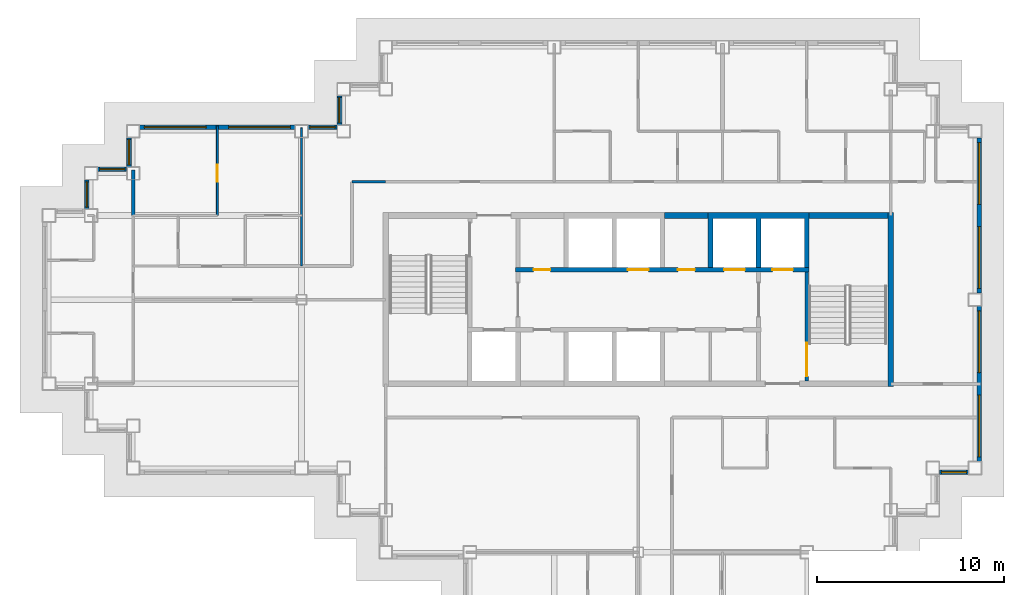
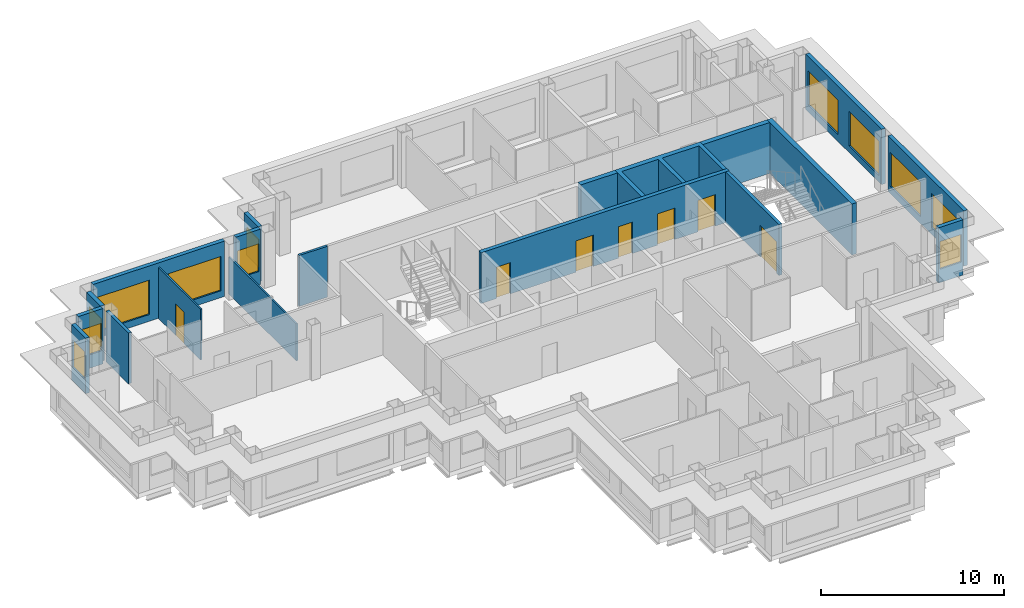
# One storey, part 6 of 12: 19 walls, 12 windows, 7 doors, 19 openings.
"""IFC4 building model written with IfcOpenShell, lengths in metres."""

from ifc_helpers import new_model, si_unit, direction, frame, frame_2d, origin, place, context, subcontext, project, spatial, polyline, rectangle, outline, extrude, material, layer, layer_set, type_object, element, fill, save


model = new_model("IFC4")

# Units and contexts
model_context = context("Model", 3, precision=1e-05, world=origin(), true_north=direction((0.0, 1.0)))
body_context = subcontext(model_context, "Body", "Model", "MODEL_VIEW")
ifc_project = project(units=[si_unit("LENGTHUNIT", "METRE"), si_unit("AREAUNIT", "SQUARE_METRE"), si_unit("VOLUMEUNIT", "CUBIC_METRE"), si_unit("PLANEANGLEUNIT", "RADIAN"), si_unit("MASSUNIT", "GRAM", prefix="KILO")], contexts=[model_context])

# Site, building, storey
site_placement = place(None, origin())
site = spatial("IfcSite", under=ifc_project, at=site_placement, CompositionType="ELEMENT")
building_placement = place(site_placement, origin())
building = spatial("IfcBuilding", under=site, at=building_placement, Name="Caravel Reach Hotel and Residences", CompositionType="ELEMENT")
storey_placement = place(building_placement, frame((0.0, 0.0, 199.800048828125)))
storey = spatial("IfcBuildingStorey", under=building, at=storey_placement, Name="L50", CompositionType="ELEMENT", Elevation=199.800048828125)

# Walls
ifc_material_1 = material(Name="Concrete C60", Category="concrete")
ifc_layer_1 = layer(ifc_material_1, 0.300048828125)
ifc_layer_set_1 = layer_set([ifc_layer_1], Name="Core wall 300 mm EI 120")
wall_type_1 = type_object("IfcWallType", Name="Core wall 300 mm EI 120", PredefinedType="SHEAR", material=ifc_layer_set_1)
wall_1_placement = place(storey_placement, frame((32.91064453125, 31.5, 0.0), z_axis=(0.0, 0.0, 1.0), x_axis=(1.0, 0.0, 0.0)))
element("IfcWall", 1, at=wall_1_placement, inside=storey, type_object=wall_type_1, Name="L50 core wall N2", PredefinedType="SHEAR", context=body_context, shape_type="SweptSolid", body=[
    extrude(rectangle(XDim=2.321533203125, YDim=0.300048828125, at=frame_2d((1.16064453125, 0.0))), origin(), (0.0, 0.0, 1.0), 3.39990234375),
])
wall_2_placement = place(storey_placement, frame((40.625, 31.5, 0.0), z_axis=(0.0, 0.0, 1.0), x_axis=(1.0, 0.0, 0.0)))
element("IfcWall", 2, at=wall_2_placement, inside=storey, type_object=wall_type_1, Name="L50 core wall N3", PredefinedType="SHEAR", context=body_context, shape_type="SweptSolid", body=[
    extrude(rectangle(XDim=4.22509765625, YDim=0.300048828125, at=frame_2d((2.112548828125, 0.0))), origin(), (0.0, 0.0, 1.0), 3.39990234375),
])
wall_3_placement = place(storey_placement, frame((45.0, 22.35009765625, 0.0), z_axis=(0.0, 0.0, 1.0), x_axis=(0.0, 1.0, 0.0)))
element("IfcWall", 3, at=wall_3_placement, inside=storey, type_object=wall_type_1, Name="L50 core wall E", PredefinedType="SHEAR", context=body_context, shape_type="SweptSolid", body=[
    extrude(rectangle(XDim=9.2998046875, YDim=0.300048828125, at=frame_2d((4.64990234375, 0.0))), origin(), (0.0, 0.0, 1.0), 3.39990234375),
])
ifc_material_2 = material(Name="Gypsum board on steel stud, fire-rated", Category="steel")
ifc_layer_2 = layer(ifc_material_2, 0.14990234375)
ifc_layer_set_2 = layer_set([ifc_layer_2], Name="Corridor wall 150 mm EI 60")
wall_type_2 = type_object("IfcWallType", Name="Corridor wall 150 mm EI 60", PredefinedType="PARTITIONING", material=ifc_layer_set_2)
wall_4_placement = place(storey_placement, frame((16.199951171875, 33.300048828125, 0.0), z_axis=(0.0, 0.0, 1.0), x_axis=(1.0, 0.0, 0.0)))
element("IfcWall", 4, at=wall_4_placement, inside=storey, type_object=wall_type_2, Name="L50 wall w011", PredefinedType="PARTITIONING", context=body_context, shape_type="SweptSolid", body=[
    extrude(rectangle(XDim=1.799072265625, YDim=0.14990234375, at=frame_2d((0.8994140625, 0.0))), origin(), (0.0, 0.0, 1.0), 3.39990234375),
])

# Wall, opening, window
ifc_material_3 = material(Name="Insulated rainscreen wall, aluminium cladding", Category="aluminium")
ifc_layer_3 = layer(ifc_material_3, 0.25)
ifc_layer_set_3 = layer_set([ifc_layer_3], Name="EW1 Tower rainscreen wall")
wall_type_3 = type_object("IfcWallType", Name="EW1 Tower rainscreen wall", PredefinedType="SOLIDWALL", material=ifc_layer_set_3)
wall_5_placement = place(storey_placement, frame((47.60009765625, 17.77490234375, 0.0), z_axis=(0.0, 0.0, 1.0), x_axis=(1.0, 0.0, 0.0)))
wall_5 = element("IfcWall", 5, at=wall_5_placement, inside=storey, type_object=wall_type_3, Name="External wall L50 S5.1", PredefinedType="SOLIDWALL", context=body_context, shape_type="SweptSolid", body=[
    extrude(rectangle(XDim=1.5498046875, YDim=0.25, at=frame_2d((0.77490234375, 0.0))), origin(), (0.0, 0.0, 1.0), 3.699951171875),
])
opening_1_placement = place(wall_5_placement, frame((0.10009765625, 0.0, 0.89990234375)))
opening_1 = element("IfcOpeningElement", 6, at=opening_1_placement, cuts=wall_5, Name="Opening WN21", PredefinedType="OPENING", context=body_context, shape_type="SweptSolid", body=[
    extrude(rectangle(XDim=1.35009765625, YDim=1.85009765625, at=frame_2d((0.675048828125, 0.925048828125))), frame((0.0, 0.135009765625, 0.0), z_axis=(0.0, -1.0, 0.0), x_axis=(1.0, 0.0, 0.0)), (0.0, 0.0, 1.0), 0.27001953125),
])
ifc_material_4 = material(Name="Dark low-e glazing in black aluminium frame", Category="aluminium")
window_type_1 = type_object("IfcWindowType", Name="Residence bedroom window 1350 x 1850", PartitioningType="SINGLE_PANEL", PredefinedType="WINDOW", material=ifc_material_4)
window_1_placement = place(opening_1_placement, origin())
window_1 = element("IfcWindow", 7, at=window_1_placement, inside=storey, type_object=window_type_1, Name="Window L50 S5.1.1", OverallHeight=1.85009765625, OverallWidth=1.35009765625, PartitioningType="SINGLE_PANEL", PredefinedType="WINDOW", context=body_context, shape_type="SweptSolid", body=[
    extrude(rectangle(XDim=1.35009765625, YDim=1.85009765625, at=frame_2d((0.675048828125, 0.925048828125))), frame((0.0, 0.030029296875, 0.0), z_axis=(0.0, -1.0, 0.0), x_axis=(1.0, 0.0, 0.0)), (0.0, 0.0, 1.0), 0.06005859375),
])
fill(opening_1, window_1)

# Wall, openings, windows
wall_6_placement = place(storey_placement, frame((49.72509765625, 18.35009765625, 0.0), z_axis=(0.0, 0.0, 1.0), x_axis=(0.0, 1.0, 0.0)))
wall_6 = element("IfcWall", 8, at=wall_6_placement, inside=storey, type_object=wall_type_3, Name="External wall L50 E6.1", PredefinedType="SOLIDWALL", context=body_context, shape_type="SweptSolid", body=[
    extrude(rectangle(XDim=8.2998046875, YDim=0.25, at=frame_2d((4.14990234375, 0.0))), origin(), (0.0, 0.0, 1.0), 3.699951171875),
])
opening_2_placement = place(wall_6_placement, frame((0.25, 0.0, 0.449951171875)))
opening_2 = element("IfcOpeningElement", 9, at=opening_2_placement, cuts=wall_6, Name="Opening WN15", PredefinedType="OPENING", context=body_context, shape_type="SweptSolid", body=[
    extrude(rectangle(XDim=3.300048828125, YDim=2.300048828125, at=frame_2d((1.64990234375, 1.14990234375))), frame((0.0, 0.135009765625, 0.0), z_axis=(0.0, -1.0, 0.0), x_axis=(1.0, 0.0, 0.0)), (0.0, 0.0, 1.0), 0.27001953125),
])
opening_3_placement = place(wall_6_placement, frame((4.75, 0.0, 0.449951171875)))
opening_3 = element("IfcOpeningElement", 10, at=opening_3_placement, cuts=wall_6, Name="Opening WN15", PredefinedType="OPENING", context=body_context, shape_type="SweptSolid", body=[
    extrude(rectangle(XDim=3.300048828125, YDim=2.300048828125, at=frame_2d((1.64990234375, 1.14990234375))), frame((0.0, 0.135009765625, 0.0), z_axis=(0.0, -1.0, 0.0), x_axis=(1.0, 0.0, 0.0)), (0.0, 0.0, 1.0), 0.27001953125),
])
ifc_material_5 = material(Name="Dark low-e glazing in black aluminium frame", Category="aluminium")
window_type_2 = type_object("IfcWindowType", Name="Residence living window 3300 x 2300", PartitioningType="SINGLE_PANEL", PredefinedType="WINDOW", material=ifc_material_5)
window_2_placement = place(opening_2_placement, origin())
window_2 = element("IfcWindow", 11, at=window_2_placement, inside=storey, type_object=window_type_2, Name="Window L50 E6.1.1", OverallHeight=2.300048828125, OverallWidth=3.300048828125, PartitioningType="SINGLE_PANEL", PredefinedType="WINDOW", context=body_context, shape_type="SweptSolid", body=[
    extrude(rectangle(XDim=3.300048828125, YDim=2.300048828125, at=frame_2d((1.64990234375, 1.14990234375))), frame((0.0, 0.030029296875, 0.0), z_axis=(0.0, -1.0, 0.0), x_axis=(1.0, 0.0, 0.0)), (0.0, 0.0, 1.0), 0.06005859375),
])
fill(opening_2, window_2)
window_3_placement = place(opening_3_placement, origin())
window_3 = element("IfcWindow", 12, at=window_3_placement, inside=storey, type_object=window_type_2, Name="Window L50 E6.1.2", OverallHeight=2.300048828125, OverallWidth=3.300048828125, PartitioningType="SINGLE_PANEL", PredefinedType="WINDOW", context=body_context, shape_type="SweptSolid", body=[
    extrude(rectangle(XDim=3.300048828125, YDim=2.300048828125, at=frame_2d((1.64990234375, 1.14990234375))), frame((0.0, 0.030029296875, 0.0), z_axis=(0.0, -1.0, 0.0), x_axis=(1.0, 0.0, 0.0)), (0.0, 0.0, 1.0), 0.06005859375),
])
fill(opening_3, window_3)

wall_7_placement = place(storey_placement, frame((49.72509765625, 27.35009765625, 0.0), z_axis=(0.0, 0.0, 1.0), x_axis=(0.0, 1.0, 0.0)))
wall_7 = element("IfcWall", 13, at=wall_7_placement, inside=storey, type_object=wall_type_3, Name="External wall L50 E6.2", PredefinedType="SOLIDWALL", context=body_context, shape_type="SweptSolid", body=[
    extrude(rectangle(XDim=8.2998046875, YDim=0.25, at=frame_2d((4.14990234375, 0.0))), origin(), (0.0, 0.0, 1.0), 3.699951171875),
])
opening_4_placement = place(wall_7_placement, frame((0.25, 0.0, 0.449951171875)))
opening_4 = element("IfcOpeningElement", 14, at=opening_4_placement, cuts=wall_7, Name="Opening WN15", PredefinedType="OPENING", context=body_context, shape_type="SweptSolid", body=[
    extrude(rectangle(XDim=3.300048828125, YDim=2.300048828125, at=frame_2d((1.64990234375, 1.14990234375))), frame((0.0, 0.135009765625, 0.0), z_axis=(0.0, -1.0, 0.0), x_axis=(1.0, 0.0, 0.0)), (0.0, 0.0, 1.0), 0.27001953125),
])
opening_5_placement = place(wall_7_placement, frame((4.75, 0.0, 0.449951171875)))
opening_5 = element("IfcOpeningElement", 15, at=opening_5_placement, cuts=wall_7, Name="Opening WN15", PredefinedType="OPENING", context=body_context, shape_type="SweptSolid", body=[
    extrude(rectangle(XDim=3.300048828125, YDim=2.300048828125, at=frame_2d((1.64990234375, 1.14990234375))), frame((0.0, 0.135009765625, 0.0), z_axis=(0.0, -1.0, 0.0), x_axis=(1.0, 0.0, 0.0)), (0.0, 0.0, 1.0), 0.27001953125),
])
window_4_placement = place(opening_4_placement, origin())
window_4 = element("IfcWindow", 16, at=window_4_placement, inside=storey, type_object=window_type_2, Name="Window L50 E6.2.1", OverallHeight=2.300048828125, OverallWidth=3.300048828125, PartitioningType="SINGLE_PANEL", PredefinedType="WINDOW", context=body_context, shape_type="SweptSolid", body=[
    extrude(rectangle(XDim=3.300048828125, YDim=2.300048828125, at=frame_2d((1.64990234375, 1.14990234375))), frame((0.0, 0.030029296875, 0.0), z_axis=(0.0, -1.0, 0.0), x_axis=(1.0, 0.0, 0.0)), (0.0, 0.0, 1.0), 0.06005859375),
])
fill(opening_4, window_4)
window_5_placement = place(opening_5_placement, origin())
window_5 = element("IfcWindow", 17, at=window_5_placement, inside=storey, type_object=window_type_2, Name="Window L50 E6.2.2", OverallHeight=2.300048828125, OverallWidth=3.300048828125, PartitioningType="SINGLE_PANEL", PredefinedType="WINDOW", context=body_context, shape_type="SweptSolid", body=[
    extrude(rectangle(XDim=3.300048828125, YDim=2.300048828125, at=frame_2d((1.64990234375, 1.14990234375))), frame((0.0, 0.030029296875, 0.0), z_axis=(0.0, -1.0, 0.0), x_axis=(1.0, 0.0, 0.0)), (0.0, 0.0, 1.0), 0.06005859375),
])
fill(opening_5, window_5)

# Wall, opening, window
wall_8_placement = place(storey_placement, frame((15.52490234375, 37.89990234375, 0.0), z_axis=(0.0, 0.0, 1.0), x_axis=(0.0, -1.0, 0.0)))
wall_8 = element("IfcWall", 18, at=wall_8_placement, inside=storey, type_object=wall_type_3, Name="External wall L50 W14.1", PredefinedType="SOLIDWALL", context=body_context, shape_type="SweptSolid", body=[
    extrude(rectangle(XDim=1.5498046875, YDim=0.25, at=frame_2d((0.77490234375, 0.0))), origin(), (0.0, 0.0, 1.0), 3.699951171875),
])
opening_6_placement = place(wall_8_placement, frame((0.10009765625, 0.0, 0.89990234375)))
opening_6 = element("IfcOpeningElement", 19, at=opening_6_placement, cuts=wall_8, Name="Opening WN21", PredefinedType="OPENING", context=body_context, shape_type="SweptSolid", body=[
    extrude(rectangle(XDim=1.35009765625, YDim=1.85009765625, at=frame_2d((0.675048828125, 0.925048828125))), frame((0.0, 0.135009765625, 0.0), z_axis=(0.0, -1.0, 0.0), x_axis=(1.0, 0.0, 0.0)), (0.0, 0.0, 1.0), 0.27001953125),
])
window_6_placement = place(opening_6_placement, origin())
window_6 = element("IfcWindow", 20, at=window_6_placement, inside=storey, type_object=window_type_1, Name="Window L50 W14.1.1", OverallHeight=1.85009765625, OverallWidth=1.35009765625, PartitioningType="SINGLE_PANEL", PredefinedType="WINDOW", context=body_context, shape_type="SweptSolid", body=[
    extrude(rectangle(XDim=1.35009765625, YDim=1.85009765625, at=frame_2d((0.675048828125, 0.925048828125))), frame((0.0, 0.030029296875, 0.0), z_axis=(0.0, -1.0, 0.0), x_axis=(1.0, 0.0, 0.0)), (0.0, 0.0, 1.0), 0.06005859375),
])
fill(opening_6, window_6)

wall_9_placement = place(storey_placement, frame((15.39990234375, 36.22509765625, 0.0), z_axis=(0.0, 0.0, 1.0), x_axis=(-1.0, 0.0, 0.0)))
wall_9 = element("IfcWall", 21, at=wall_9_placement, inside=storey, type_object=wall_type_3, Name="External wall L50 N15.1", PredefinedType="SOLIDWALL", context=body_context, shape_type="SweptSolid", body=[
    extrude(rectangle(XDim=1.5498046875, YDim=0.25, at=frame_2d((0.77490234375, 0.0))), origin(), (0.0, 0.0, 1.0), 3.699951171875),
])
opening_7_placement = place(wall_9_placement, frame((0.10009765625, 0.0, 0.89990234375)))
opening_7 = element("IfcOpeningElement", 22, at=opening_7_placement, cuts=wall_9, Name="Opening WN21", PredefinedType="OPENING", context=body_context, shape_type="SweptSolid", body=[
    extrude(rectangle(XDim=1.35009765625, YDim=1.85009765625, at=frame_2d((0.675048828125, 0.925048828125))), frame((0.0, 0.135009765625, 0.0), z_axis=(0.0, -1.0, 0.0), x_axis=(1.0, 0.0, 0.0)), (0.0, 0.0, 1.0), 0.27001953125),
])
window_7_placement = place(opening_7_placement, origin())
window_7 = element("IfcWindow", 23, at=window_7_placement, inside=storey, type_object=window_type_1, Name="Window L50 N15.1.1", OverallHeight=1.85009765625, OverallWidth=1.35009765625, PartitioningType="SINGLE_PANEL", PredefinedType="WINDOW", context=body_context, shape_type="SweptSolid", body=[
    extrude(rectangle(XDim=1.35009765625, YDim=1.85009765625, at=frame_2d((0.675048828125, 0.925048828125))), frame((0.0, 0.030029296875, 0.0), z_axis=(0.0, -1.0, 0.0), x_axis=(1.0, 0.0, 0.0)), (0.0, 0.0, 1.0), 0.06005859375),
])
fill(opening_7, window_7)

# Wall, openings, windows
wall_10_placement = place(storey_placement, frame((13.14990234375, 36.22509765625, 0.0), z_axis=(0.0, 0.0, 1.0), x_axis=(-1.0, 0.0, 0.0)))
wall_10 = element("IfcWall", 24, at=wall_10_placement, inside=storey, type_object=wall_type_3, Name="External wall L50 N15.2", PredefinedType="SOLIDWALL", context=body_context, shape_type="SweptSolid", body=[
    extrude(rectangle(XDim=8.2998046875, YDim=0.25, at=frame_2d((4.14990234375, 0.0))), origin(), (0.0, 0.0, 1.0), 3.699951171875),
])
opening_8_placement = place(wall_10_placement, frame((0.25, 0.0, 0.449951171875)))
opening_8 = element("IfcOpeningElement", 25, at=opening_8_placement, cuts=wall_10, Name="Opening WN15", PredefinedType="OPENING", context=body_context, shape_type="SweptSolid", body=[
    extrude(rectangle(XDim=3.300048828125, YDim=2.300048828125, at=frame_2d((1.64990234375, 1.14990234375))), frame((0.0, 0.135009765625, 0.0), z_axis=(0.0, -1.0, 0.0), x_axis=(1.0, 0.0, 0.0)), (0.0, 0.0, 1.0), 0.27001953125),
])
opening_9_placement = place(wall_10_placement, frame((4.75, 0.0, 0.449951171875)))
opening_9 = element("IfcOpeningElement", 26, at=opening_9_placement, cuts=wall_10, Name="Opening WN15", PredefinedType="OPENING", context=body_context, shape_type="SweptSolid", body=[
    extrude(rectangle(XDim=3.300048828125, YDim=2.300048828125, at=frame_2d((1.64990234375, 1.14990234375))), frame((0.0, 0.135009765625, 0.0), z_axis=(0.0, -1.0, 0.0), x_axis=(1.0, 0.0, 0.0)), (0.0, 0.0, 1.0), 0.27001953125),
])
window_8_placement = place(opening_8_placement, origin())
window_8 = element("IfcWindow", 27, at=window_8_placement, inside=storey, type_object=window_type_2, Name="Window L50 N15.2.1", OverallHeight=2.300048828125, OverallWidth=3.300048828125, PartitioningType="SINGLE_PANEL", PredefinedType="WINDOW", context=body_context, shape_type="SweptSolid", body=[
    extrude(rectangle(XDim=3.300048828125, YDim=2.300048828125, at=frame_2d((1.64990234375, 1.14990234375))), frame((0.0, 0.030029296875, 0.0), z_axis=(0.0, -1.0, 0.0), x_axis=(1.0, 0.0, 0.0)), (0.0, 0.0, 1.0), 0.06005859375),
])
fill(opening_8, window_8)
window_9_placement = place(opening_9_placement, origin())
window_9 = element("IfcWindow", 28, at=window_9_placement, inside=storey, type_object=window_type_2, Name="Window L50 N15.2.2", OverallHeight=2.300048828125, OverallWidth=3.300048828125, PartitioningType="SINGLE_PANEL", PredefinedType="WINDOW", context=body_context, shape_type="SweptSolid", body=[
    extrude(rectangle(XDim=3.300048828125, YDim=2.300048828125, at=frame_2d((1.64990234375, 1.14990234375))), frame((0.0, 0.030029296875, 0.0), z_axis=(0.0, -1.0, 0.0), x_axis=(1.0, 0.0, 0.0)), (0.0, 0.0, 1.0), 0.06005859375),
])
fill(opening_9, window_9)

# Wall, opening, window
wall_11_placement = place(storey_placement, frame((4.27490234375, 35.64990234375, 0.0), z_axis=(0.0, 0.0, 1.0), x_axis=(0.0, -1.0, 0.0)))
wall_11 = element("IfcWall", 29, at=wall_11_placement, inside=storey, type_object=wall_type_3, Name="External wall L50 W16.1", PredefinedType="SOLIDWALL", context=body_context, shape_type="SweptSolid", body=[
    extrude(rectangle(XDim=1.5498046875, YDim=0.25, at=frame_2d((0.77490234375, 0.0))), origin(), (0.0, 0.0, 1.0), 3.699951171875),
])
opening_10_placement = place(wall_11_placement, frame((0.10009765625, 0.0, 0.89990234375)))
opening_10 = element("IfcOpeningElement", 30, at=opening_10_placement, cuts=wall_11, Name="Opening WN21", PredefinedType="OPENING", context=body_context, shape_type="SweptSolid", body=[
    extrude(rectangle(XDim=1.35009765625, YDim=1.85009765625, at=frame_2d((0.675048828125, 0.925048828125))), frame((0.0, 0.135009765625, 0.0), z_axis=(0.0, -1.0, 0.0), x_axis=(1.0, 0.0, 0.0)), (0.0, 0.0, 1.0), 0.27001953125),
])
window_10_placement = place(opening_10_placement, origin())
window_10 = element("IfcWindow", 31, at=window_10_placement, inside=storey, type_object=window_type_1, Name="Window L50 W16.1.1", OverallHeight=1.85009765625, OverallWidth=1.35009765625, PartitioningType="SINGLE_PANEL", PredefinedType="WINDOW", context=body_context, shape_type="SweptSolid", body=[
    extrude(rectangle(XDim=1.35009765625, YDim=1.85009765625, at=frame_2d((0.675048828125, 0.925048828125))), frame((0.0, 0.030029296875, 0.0), z_axis=(0.0, -1.0, 0.0), x_axis=(1.0, 0.0, 0.0)), (0.0, 0.0, 1.0), 0.06005859375),
])
fill(opening_10, window_10)

wall_12_placement = place(storey_placement, frame((4.14990234375, 33.97509765625, 0.0), z_axis=(0.0, 0.0, 1.0), x_axis=(-1.0, 0.0, 0.0)))
wall_12 = element("IfcWall", 32, at=wall_12_placement, inside=storey, type_object=wall_type_3, Name="External wall L50 N17.1", PredefinedType="SOLIDWALL", context=body_context, shape_type="SweptSolid", body=[
    extrude(rectangle(XDim=1.5498046875, YDim=0.25, at=frame_2d((0.77490234375, 0.0))), origin(), (0.0, 0.0, 1.0), 3.699951171875),
])
opening_11_placement = place(wall_12_placement, frame((0.10009765625, 0.0, 0.89990234375)))
opening_11 = element("IfcOpeningElement", 33, at=opening_11_placement, cuts=wall_12, Name="Opening WN21", PredefinedType="OPENING", context=body_context, shape_type="SweptSolid", body=[
    extrude(rectangle(XDim=1.35009765625, YDim=1.85009765625, at=frame_2d((0.675048828125, 0.925048828125))), frame((0.0, 0.135009765625, 0.0), z_axis=(0.0, -1.0, 0.0), x_axis=(1.0, 0.0, 0.0)), (0.0, 0.0, 1.0), 0.27001953125),
])
window_11_placement = place(opening_11_placement, origin())
window_11 = element("IfcWindow", 34, at=window_11_placement, inside=storey, type_object=window_type_1, Name="Window L50 N17.1.1", OverallHeight=1.85009765625, OverallWidth=1.35009765625, PartitioningType="SINGLE_PANEL", PredefinedType="WINDOW", context=body_context, shape_type="SweptSolid", body=[
    extrude(rectangle(XDim=1.35009765625, YDim=1.85009765625, at=frame_2d((0.675048828125, 0.925048828125))), frame((0.0, 0.030029296875, 0.0), z_axis=(0.0, -1.0, 0.0), x_axis=(1.0, 0.0, 0.0)), (0.0, 0.0, 1.0), 0.06005859375),
])
fill(opening_11, window_11)

wall_13_placement = place(storey_placement, frame((2.02490234375, 33.39990234375, 0.0), z_axis=(0.0, 0.0, 1.0), x_axis=(0.0, -1.0, 0.0)))
wall_13 = element("IfcWall", 35, at=wall_13_placement, inside=storey, type_object=wall_type_3, Name="External wall L50 W18.1", PredefinedType="SOLIDWALL", context=body_context, shape_type="SweptSolid", body=[
    extrude(rectangle(XDim=1.5498046875, YDim=0.25, at=frame_2d((0.77490234375, 0.0))), origin(), (0.0, 0.0, 1.0), 3.699951171875),
])
opening_12_placement = place(wall_13_placement, frame((0.10009765625, 0.0, 0.89990234375)))
opening_12 = element("IfcOpeningElement", 36, at=opening_12_placement, cuts=wall_13, Name="Opening WN21", PredefinedType="OPENING", context=body_context, shape_type="SweptSolid", body=[
    extrude(rectangle(XDim=1.35009765625, YDim=1.85009765625, at=frame_2d((0.675048828125, 0.925048828125))), frame((0.0, 0.135009765625, 0.0), z_axis=(0.0, -1.0, 0.0), x_axis=(1.0, 0.0, 0.0)), (0.0, 0.0, 1.0), 0.27001953125),
])
window_12_placement = place(opening_12_placement, origin())
window_12 = element("IfcWindow", 37, at=window_12_placement, inside=storey, type_object=window_type_1, Name="Window L50 W18.1.1", OverallHeight=1.85009765625, OverallWidth=1.35009765625, PartitioningType="SINGLE_PANEL", PredefinedType="WINDOW", context=body_context, shape_type="SweptSolid", body=[
    extrude(rectangle(XDim=1.35009765625, YDim=1.85009765625, at=frame_2d((0.675048828125, 0.925048828125))), frame((0.0, 0.030029296875, 0.0), z_axis=(0.0, -1.0, 0.0), x_axis=(1.0, 0.0, 0.0)), (0.0, 0.0, 1.0), 0.06005859375),
])
fill(opening_12, window_12)

# Wall
ifc_material_6 = material(Name="Gypsum board on steel stud", Category="steel")
ifc_layer_4 = layer(ifc_material_6, 0.10009765625)
ifc_layer_set_4 = layer_set([ifc_layer_4], Name="Partition 100 mm")
wall_type_4 = type_object("IfcWallType", Name="Partition 100 mm", PredefinedType="PARTITIONING", material=ifc_layer_set_4)
wall_14_placement = place(storey_placement, frame((13.5, 28.801025390625, 0.0), z_axis=(0.0, 0.0, 1.0), x_axis=(0.0, 1.0, 0.0)))
element("IfcWall", 38, at=wall_14_placement, inside=storey, type_object=wall_type_4, Name="L50 wall w049", PredefinedType="PARTITIONING", context=body_context, shape_type="SweptSolid", body=[
    extrude(rectangle(XDim=7.388916015625, YDim=0.10009765625, at=frame_2d((3.6943359375, 0.0))), origin(), (0.0, 0.0, 1.0), 2.47998046875),
])

# Wall, opening, door
wall_15_placement = place(storey_placement, frame((9.0, 31.5, 0.0), z_axis=(0.0, 0.0, 1.0), x_axis=(0.0, 1.0, 0.0)))
wall_15 = element("IfcWall", 39, at=wall_15_placement, inside=storey, type_object=wall_type_4, Name="L50 wall w069", PredefinedType="PARTITIONING", context=body_context, shape_type="SweptSolid", body=[
    extrude(rectangle(XDim=4.7900390625, YDim=0.10009765625, at=frame_2d((2.39501953125, 0.0))), origin(), (0.0, 0.0, 1.0), 3.39990234375),
])
opening_13_placement = place(wall_15_placement, frame((1.800048828125, 0.0, 0.0)))
opening_13 = element("IfcOpeningElement", 40, at=opening_13_placement, cuts=wall_15, Name="Opening D50-029", PredefinedType="OPENING", context=body_context, shape_type="SweptSolid", body=[
    extrude(rectangle(XDim=0.89990234375, YDim=2.10009765625, at=frame_2d((0.449951171875, 1.050048828125))), frame((0.0, 0.06005859375, 0.0), z_axis=(0.0, -1.0, 0.0), x_axis=(1.0, 0.0, 0.0)), (0.0, 0.0, 1.0), 0.1201171875),
])
ifc_material_7 = material(Name="Timber and steel door leaf", Category="steel")
door_type_1 = type_object("IfcDoorType", Name="Door 900 x 2100 timber", OperationType="SINGLE_SWING_LEFT", PredefinedType="DOOR", material=ifc_material_7)
door_1_placement = place(opening_13_placement, origin())
door_1 = element("IfcDoor", 41, at=door_1_placement, inside=storey, type_object=door_type_1, Name="door D50-029", OperationType="SINGLE_SWING_LEFT", OverallHeight=2.10009765625, OverallWidth=0.89990234375, PredefinedType="DOOR", context=body_context, shape_type="SweptSolid", body=[
    extrude(rectangle(XDim=0.89990234375, YDim=2.10009765625, at=frame_2d((0.449951171875, 1.050048828125))), frame((0.0, 0.02490234375, 0.0), z_axis=(0.0, -1.0, 0.0), x_axis=(1.0, 0.0, 0.0)), (0.0, 0.0, 1.0), 0.050048828125),
])
fill(opening_13, door_1)

# Walls
ifc_material_8 = material(Name="Autoclaved aerated block wall")
ifc_layer_5 = layer(ifc_material_8, 0.199951171875)
ifc_layer_set_5 = layer_set([ifc_layer_5], Name="Party wall 200 mm EI 60")
wall_type_5 = type_object("IfcWallType", Name="Party wall 200 mm EI 60", PredefinedType="PARTITIONING", material=ifc_layer_set_5)
wall_16_placement = place(storey_placement, frame((4.5, 31.5009765625, 0.0), z_axis=(0.0, 0.0, 1.0), x_axis=(0.0, 1.0, 0.0)))
element("IfcWall", 42, at=wall_16_placement, inside=storey, type_object=wall_type_5, Name="L50 wall w075", PredefinedType="PARTITIONING", context=body_context, shape_type="SweptSolid", body=[
    extrude(rectangle(XDim=2.43896484375, YDim=0.199951171875, at=frame_2d((1.219482421875, 0.0))), origin(), (0.0, 0.0, 1.0), 3.39990234375),
])
ifc_material_9 = material(Name="Concrete C60", Category="concrete")
ifc_layer_6 = layer(ifc_material_9, 0.25)
ifc_layer_set_6 = layer_set([ifc_layer_6], Name="Shaft wall 250 mm EI 120")
wall_type_6 = type_object("IfcWallType", Name="Shaft wall 250 mm EI 120", PredefinedType="SHEAR", material=ifc_layer_set_6)
wall_17_placement = place(storey_placement, origin())
element("IfcWall", 43, at=wall_17_placement, inside=storey, type_object=wall_type_6, Name="L50 lift shaft wall N2", PredefinedType="SHEAR", context=body_context, shape_type="SweptSolid", body=[
    extrude(outline(polyline([(35.232177734375, 28.72509765625), (35.482177734375, 28.72509765625), (35.482177734375, 31.35009765625), (37.803466796875, 31.35009765625), (37.803466796875, 28.72509765625), (38.053466796875, 28.72509765625), (38.053466796875, 31.35009765625), (40.375, 31.35009765625), (40.375, 28.72509765625), (40.625, 28.72509765625), (40.625, 31.64990234375), (35.232177734375, 31.64990234375), (35.232177734375, 28.72509765625)])), origin(), (0.0, 0.0, 1.0), 3.39990234375),
])

# Wall, openings, doors
wall_18_placement = place(storey_placement, frame((24.946533203125, 28.60009765625, 0.0), z_axis=(0.0, 0.0, 1.0), x_axis=(1.0, 0.0, 0.0)))
wall_18 = element("IfcWall", 44, at=wall_18_placement, inside=storey, type_object=wall_type_6, Name="L50 lobby wall N1", PredefinedType="SHEAR", context=body_context, shape_type="SweptSolid", body=[
    extrude(rectangle(XDim=15.678466796875, YDim=0.25, at=frame_2d((7.83935546875, 0.0))), origin(), (0.0, 0.0, 1.0), 3.39990234375),
])
opening_14_placement = place(wall_18_placement, frame((6.003662109375, 0.0, 0.0)))
opening_14 = element("IfcOpeningElement", 45, at=opening_14_placement, cuts=wall_18, Name="Opening D50-002", PredefinedType="OPENING", context=body_context, shape_type="SweptSolid", body=[
    extrude(rectangle(XDim=1.10009765625, YDim=2.10009765625, at=frame_2d((0.550048828125, 1.050048828125))), frame((0.0, 0.135009765625, 0.0), z_axis=(0.0, -1.0, 0.0), x_axis=(1.0, 0.0, 0.0)), (0.0, 0.0, 1.0), 0.27001953125),
])
opening_15_placement = place(wall_18_placement, frame((11.146484375, 0.0, 0.0)))
opening_15 = element("IfcOpeningElement", 46, at=opening_15_placement, cuts=wall_18, Name="Opening D50-003", PredefinedType="OPENING", context=body_context, shape_type="SweptSolid", body=[
    extrude(rectangle(XDim=1.10009765625, YDim=2.10009765625, at=frame_2d((0.550048828125, 1.050048828125))), frame((0.0, 0.135009765625, 0.0), z_axis=(0.0, -1.0, 0.0), x_axis=(1.0, 0.0, 0.0)), (0.0, 0.0, 1.0), 0.27001953125),
])
opening_16_placement = place(wall_18_placement, frame((13.718017578125, 0.0, 0.0)))
opening_16 = element("IfcOpeningElement", 47, at=opening_16_placement, cuts=wall_18, Name="Opening D50-005", PredefinedType="OPENING", context=body_context, shape_type="SweptSolid", body=[
    extrude(rectangle(XDim=1.10009765625, YDim=2.10009765625, at=frame_2d((0.550048828125, 1.050048828125))), frame((0.0, 0.135009765625, 0.0), z_axis=(0.0, -1.0, 0.0), x_axis=(1.0, 0.0, 0.0)), (0.0, 0.0, 1.0), 0.27001953125),
])
opening_17_placement = place(wall_18_placement, frame((0.960693359375, 0.0, 0.0)))
opening_17 = element("IfcOpeningElement", 48, at=opening_17_placement, cuts=wall_18, Name="Opening D50-009", PredefinedType="OPENING", context=body_context, shape_type="SweptSolid", body=[
    extrude(rectangle(XDim=0.89990234375, YDim=2.10009765625, at=frame_2d((0.449951171875, 1.050048828125))), frame((0.0, 0.135009765625, 0.0), z_axis=(0.0, -1.0, 0.0), x_axis=(1.0, 0.0, 0.0)), (0.0, 0.0, 1.0), 0.27001953125),
])
opening_18_placement = place(wall_18_placement, frame((8.675048828125, 0.0, 0.0)))
opening_18 = element("IfcOpeningElement", 49, at=opening_18_placement, cuts=wall_18, Name="Opening D50-010", PredefinedType="OPENING", context=body_context, shape_type="SweptSolid", body=[
    extrude(rectangle(XDim=0.89990234375, YDim=2.10009765625, at=frame_2d((0.449951171875, 1.050048828125))), frame((0.0, 0.135009765625, 0.0), z_axis=(0.0, -1.0, 0.0), x_axis=(1.0, 0.0, 0.0)), (0.0, 0.0, 1.0), 0.27001953125),
])
ifc_material_10 = material(Name="Stainless steel landing door", Category="steel")
door_type_2 = type_object("IfcDoorType", Name="Landing door LD 1100 x 2100 sliding", OperationType="DOUBLE_DOOR_SLIDING", PredefinedType="DOOR", material=ifc_material_10)
door_2_placement = place(opening_14_placement, origin())
door_2 = element("IfcDoor", 50, at=door_2_placement, inside=storey, type_object=door_type_2, Name="MP2 landing door", OperationType="DOUBLE_DOOR_SLIDING", OverallHeight=2.10009765625, OverallWidth=1.10009765625, PredefinedType="DOOR", context=body_context, shape_type="SweptSolid", body=[
    extrude(rectangle(XDim=1.10009765625, YDim=2.10009765625, at=frame_2d((0.550048828125, 1.050048828125))), frame((0.0, 0.02490234375, 0.0), z_axis=(0.0, -1.0, 0.0), x_axis=(1.0, 0.0, 0.0)), (0.0, 0.0, 1.0), 0.050048828125),
])
fill(opening_14, door_2)
door_3_placement = place(opening_15_placement, origin())
door_3 = element("IfcDoor", 51, at=door_3_placement, inside=storey, type_object=door_type_2, Name="MP3 landing door", OperationType="DOUBLE_DOOR_SLIDING", OverallHeight=2.10009765625, OverallWidth=1.10009765625, PredefinedType="DOOR", context=body_context, shape_type="SweptSolid", body=[
    extrude(rectangle(XDim=1.10009765625, YDim=2.10009765625, at=frame_2d((0.550048828125, 1.050048828125))), frame((0.0, 0.02490234375, 0.0), z_axis=(0.0, -1.0, 0.0), x_axis=(1.0, 0.0, 0.0)), (0.0, 0.0, 1.0), 0.050048828125),
])
fill(opening_15, door_3)
door_4_placement = place(opening_16_placement, origin())
door_4 = element("IfcDoor", 52, at=door_4_placement, inside=storey, type_object=door_type_2, Name="FL2 landing door", OperationType="DOUBLE_DOOR_SLIDING", OverallHeight=2.10009765625, OverallWidth=1.10009765625, PredefinedType="DOOR", context=body_context, shape_type="SweptSolid", body=[
    extrude(rectangle(XDim=1.10009765625, YDim=2.10009765625, at=frame_2d((0.550048828125, 1.050048828125))), frame((0.0, 0.02490234375, 0.0), z_axis=(0.0, -1.0, 0.0), x_axis=(1.0, 0.0, 0.0)), (0.0, 0.0, 1.0), 0.050048828125),
])
fill(opening_16, door_4)
ifc_material_11 = material(Name="Steel fire door leaf", Category="steel")
door_type_3 = type_object("IfcDoorType", Name="Riser door 900 x 2100 EI 60", OperationType="SINGLE_SWING_LEFT", PredefinedType="DOOR", material=ifc_material_11)
door_5_placement = place(opening_17_placement, origin())
door_5 = element("IfcDoor", 53, at=door_5_placement, inside=storey, type_object=door_type_3, Name="Cleaners' room door", OperationType="SINGLE_SWING_LEFT", OverallHeight=2.10009765625, OverallWidth=0.89990234375, PredefinedType="DOOR", context=body_context, shape_type="SweptSolid", body=[
    extrude(rectangle(XDim=0.89990234375, YDim=2.10009765625, at=frame_2d((0.449951171875, 1.050048828125))), frame((0.0, 0.02490234375, 0.0), z_axis=(0.0, -1.0, 0.0), x_axis=(1.0, 0.0, 0.0)), (0.0, 0.0, 1.0), 0.050048828125),
])
fill(opening_17, door_5)
door_6_placement = place(opening_18_placement, origin())
door_6 = element("IfcDoor", 54, at=door_6_placement, inside=storey, type_object=door_type_3, Name="Electrical riser room door", OperationType="SINGLE_SWING_LEFT", OverallHeight=2.10009765625, OverallWidth=0.89990234375, PredefinedType="DOOR", context=body_context, shape_type="SweptSolid", body=[
    extrude(rectangle(XDim=0.89990234375, YDim=2.10009765625, at=frame_2d((0.449951171875, 1.050048828125))), frame((0.0, 0.02490234375, 0.0), z_axis=(0.0, -1.0, 0.0), x_axis=(1.0, 0.0, 0.0)), (0.0, 0.0, 1.0), 0.050048828125),
])
fill(opening_18, door_6)

# Wall, opening, door
ifc_material_12 = material(Name="Concrete C60", Category="concrete")
ifc_layer_7 = layer(ifc_material_12, 0.199951171875)
ifc_layer_set_7 = layer_set([ifc_layer_7], Name="Stair enclosure wall 200 mm EI 120")
wall_type_7 = type_object("IfcWallType", Name="Stair enclosure wall 200 mm EI 120", PredefinedType="SHEAR", material=ifc_layer_set_7)
wall_19_placement = place(storey_placement, frame((40.5, 22.64990234375, 0.0), z_axis=(0.0, 0.0, 1.0), x_axis=(0.0, 1.0, 0.0)))
wall_19 = element("IfcWall", 55, at=wall_19_placement, inside=storey, type_object=wall_type_7, Name="L50 stair B wall", PredefinedType="SHEAR", context=body_context, shape_type="SweptSolid", body=[
    extrude(rectangle(XDim=5.8251953125, YDim=0.199951171875, at=frame_2d((2.91259765625, 0.0))), origin(), (0.0, 0.0, 1.0), 3.39990234375),
])
opening_19_placement = place(wall_19_placement, frame((0.25, 0.0, 0.0)))
opening_19 = element("IfcOpeningElement", 56, at=opening_19_placement, cuts=wall_19, Name="Opening D50-012", PredefinedType="OPENING", context=body_context, shape_type="SweptSolid", body=[
    extrude(rectangle(XDim=1.800048828125, YDim=2.10009765625, at=frame_2d((0.89990234375, 1.050048828125))), frame((0.0, 0.10986328125, 0.0), z_axis=(0.0, -1.0, 0.0), x_axis=(1.0, 0.0, 0.0)), (0.0, 0.0, 1.0), 0.219970703125),
])
ifc_material_13 = material(Name="Steel fire door leaf", Category="steel")
door_type_4 = type_object("IfcDoorType", Name="Stair door pair 1800 x 2100 EI 90", OperationType="DOUBLE_DOOR_SINGLE_SWING", PredefinedType="DOOR", material=ifc_material_13)
door_7_placement = place(opening_19_placement, origin())
door_7 = element("IfcDoor", 57, at=door_7_placement, inside=storey, type_object=door_type_4, Name="stair B door pair", OperationType="DOUBLE_DOOR_SINGLE_SWING", OverallHeight=2.10009765625, OverallWidth=1.800048828125, PredefinedType="DOOR", context=body_context, shape_type="SweptSolid", body=[
    extrude(rectangle(XDim=1.800048828125, YDim=2.10009765625, at=frame_2d((0.89990234375, 1.050048828125))), frame((0.0, 0.02490234375, 0.0), z_axis=(0.0, -1.0, 0.0), x_axis=(1.0, 0.0, 0.0)), (0.0, 0.0, 1.0), 0.050048828125),
])
fill(opening_19, door_7)

save(model, "model.ifc")
